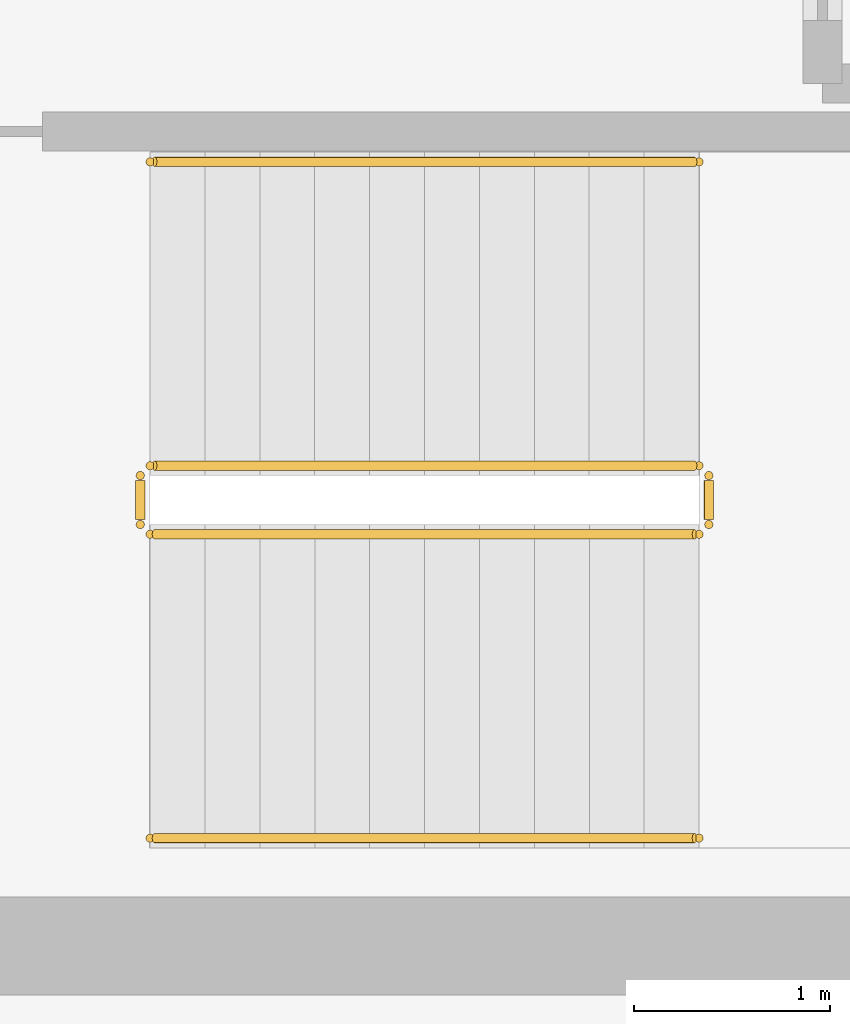
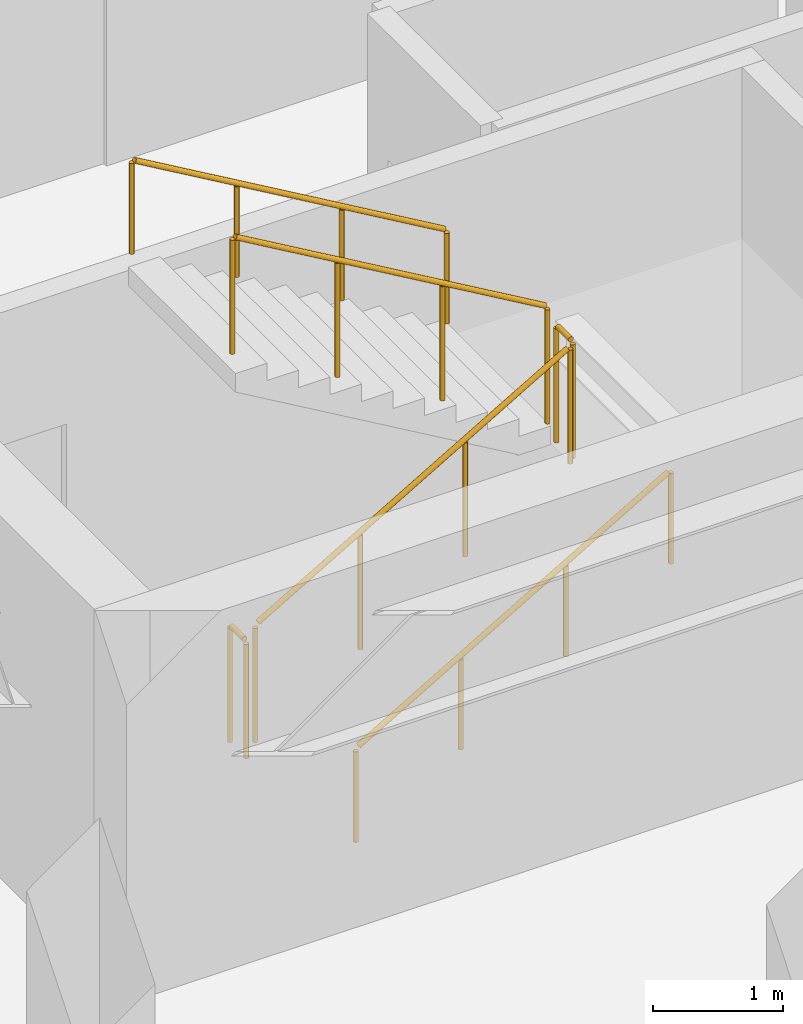
# One storey, part 12 of 12: 6 railings.
"""IFC4 building model written with IfcOpenShell, lengths in metres."""

from ifc_helpers import new_model, si_unit, direction, frame, origin, origin_2d, place, context, subcontext, project, spatial, circle, extrude, source, transform, mapped, material, layer, layer_set, type_object, element, save


model = new_model("IFC4")

# Units and contexts
model_context = context("Model", 3, precision=1e-05, world=origin(), true_north=direction((0.0, 1.0)))
body_context = subcontext(model_context, "Body", "Model", "MODEL_VIEW")
ifc_project = project(units=[si_unit("LENGTHUNIT", "METRE"), si_unit("AREAUNIT", "SQUARE_METRE"), si_unit("VOLUMEUNIT", "CUBIC_METRE"), si_unit("PLANEANGLEUNIT", "RADIAN"), si_unit("MASSUNIT", "GRAM", prefix="KILO")], contexts=[model_context])

# Site, building, storey
site_placement = place(None, origin())
site = spatial("IfcSite", under=ifc_project, at=site_placement, CompositionType="ELEMENT")
building_placement = place(site_placement, origin())
building = spatial("IfcBuilding", under=site, at=building_placement, Name="Kharzan Plaza Tower", CompositionType="ELEMENT")
storey_placement = place(building_placement, frame((0.0, 0.0, 255.60009765625)))
storey = spatial("IfcBuildingStorey", under=building, at=storey_placement, Name="L69", CompositionType="ELEMENT", Elevation=255.60009765625)

# Railings
ifc_material_1 = material(Name="Painted Galvanized Architectural Steel", Category="steel")
ifc_layer_1 = layer(ifc_material_1, 0.074951171875)
ifc_layer_set_1 = layer_set([ifc_layer_1], Name="Painted Galvanized Architectural Steel")
railing_type_1 = type_object("IfcRailingType", Name="RL-GUARD-1120", PredefinedType="BALUSTRADE", material=ifc_layer_set_1)
shared_shape_1 = source(origin(), body_context, "Body", "SweptSolid", [
    extrude(circle(Radius=0.02392578125, at=origin_2d()), frame((0.0, 0.0263671875, 1.09619140625), z_axis=(0.0, 1.0, 0.0), x_axis=(-1.0, 0.0, 0.0)), (0.0, 0.0, 1.0), 0.197021484375),
    extrude(circle(Radius=0.02099609375, at=origin_2d()), origin(), (0.0, 0.0, 1.0), 1.072021484375),
    extrude(circle(Radius=0.02099609375, at=origin_2d()), frame((0.0, 0.25, 0.0)), (0.0, 0.0, 1.0), 1.072021484375),
])
for number, where, name in (
    (1, (41.10009765625, 6.64990234375, 1.7998046875), "L69 ST-3 stair guard 2"),
    (2, (38.199951171875, 6.64990234375, 0.0), "L69 ST-3 stair guard 4"),
):
    element("IfcRailing", number, at=place(storey_placement, frame(where)), inside=storey, type_object=railing_type_1, Name=name, PredefinedType="BALUSTRADE", context=body_context, shape_type="MappedRepresentation", body=[
        mapped(shared_shape_1, transform((0.0, 0.0, 0.0), x_axis=(1.0, 0.0, 0.0), y_axis=(0.0, 1.0, 0.0), z_axis=(0.0, 0.0, 1.0))),
    ])
shared_shape_2 = source(origin(), body_context, "Body", "SweptSolid", [
    extrude(circle(Radius=0.02392578125, at=origin_2d()), frame((0.02294921875, 0.0, 1.109375), z_axis=(0.863393664356, 0.0, 0.504530851732), x_axis=(0.0, 1.0, 0.0)), (0.0, 0.0, 1.0), 3.190185546875),
    extrude(circle(Radius=0.02099609375, at=origin_2d()), origin(), (0.0, 0.0, 1.0), 1.072021484375),
    extrude(circle(Radius=0.02099609375, at=origin_2d()), frame((0.933349609375, 0.0, 0.54541015625)), (0.0, 0.0, 1.0), 1.072021484375),
    extrude(circle(Radius=0.02099609375, at=origin_2d()), frame((1.86669921875, 0.0, 1.0908203125)), (0.0, 0.0, 1.0), 1.072021484375),
    extrude(circle(Radius=0.02099609375, at=origin_2d()), frame((2.800048828125, 0.0, 1.63623046875)), (0.0, 0.0, 1.0), 1.072021484375),
])
railing_1_placement = place(storey_placement, frame((38.25, 6.60009765625, 0.16357421875)))
element("IfcRailing", 3, at=railing_1_placement, inside=storey, type_object=railing_type_1, Name="L69 ST-3 stair guard 1", PredefinedType="BALUSTRADE", context=body_context, shape_type="MappedRepresentation", body=[
    mapped(shared_shape_2, transform((0.0, 0.0, 0.0), x_axis=(1.0, 0.0, 0.0), y_axis=(0.0, 1.0, 0.0), z_axis=(0.0, 0.0, 1.0))),
])
shared_shape_3 = source(origin(), body_context, "Body", "SweptSolid", [
    extrude(circle(Radius=0.02392578125, at=origin_2d()), frame((-0.02294921875, 0.0, 1.109375), z_axis=(-0.863393664356, 0.0, 0.504530851732), x_axis=(0.0, -1.0, 0.0)), (0.0, 0.0, 1.0), 3.190185546875),
    extrude(circle(Radius=0.02099609375, at=origin_2d()), origin(), (0.0, 0.0, 1.0), 1.072021484375),
    extrude(circle(Radius=0.02099609375, at=origin_2d()), frame((-0.933349609375, 0.0, 0.54541015625)), (0.0, 0.0, 1.0), 1.072021484375),
    extrude(circle(Radius=0.02099609375, at=origin_2d()), frame((-1.86669921875, 0.0, 1.0908203125)), (0.0, 0.0, 1.0), 1.072021484375),
    extrude(circle(Radius=0.02099609375, at=origin_2d()), frame((-2.800048828125, 0.0, 1.63623046875)), (0.0, 0.0, 1.0), 1.072021484375),
])
railing_2_placement = place(storey_placement, frame((41.050048828125, 6.949951171875, 1.963623046875)))
element("IfcRailing", 4, at=railing_2_placement, inside=storey, type_object=railing_type_1, Name="L69 ST-3 stair guard 3", PredefinedType="BALUSTRADE", context=body_context, shape_type="MappedRepresentation", body=[
    mapped(shared_shape_3, transform((0.0, 0.0, 0.0), x_axis=(1.0, 0.0, 0.0), y_axis=(0.0, 1.0, 0.0), z_axis=(0.0, 0.0, 1.0))),
])
ifc_material_2 = material(Name="Brushed Stainless Steel", Category="steel")
ifc_layer_2 = layer(ifc_material_2, 0.050048828125)
ifc_layer_set_2 = layer_set([ifc_layer_2], Name="Brushed Stainless Steel")
railing_type_2 = type_object("IfcRailingType", Name="RL-STAIR-HR920", PredefinedType="HANDRAIL", material=ifc_layer_set_2)
shared_shape_4 = source(origin(), body_context, "Body", "SweptSolid", [
    extrude(circle(Radius=0.02392578125, at=origin_2d()), frame((0.02294921875, 0.0, 0.88916015625), z_axis=(0.863393664356, 0.0, 0.504530851732), x_axis=(0.0, 1.0, 0.0)), (0.0, 0.0, 1.0), 3.190185546875),
    extrude(circle(Radius=0.02099609375, at=origin_2d()), origin(), (0.0, 0.0, 1.0), 0.851806640625),
    extrude(circle(Radius=0.02099609375, at=origin_2d()), frame((0.933349609375, 0.0, 0.54541015625)), (0.0, 0.0, 1.0), 0.851806640625),
    extrude(circle(Radius=0.02099609375, at=origin_2d()), frame((1.86669921875, 0.0, 1.0908203125)), (0.0, 0.0, 1.0), 0.851806640625),
    extrude(circle(Radius=0.02099609375, at=origin_2d()), frame((2.800048828125, 0.0, 1.63623046875)), (0.0, 0.0, 1.0), 0.851806640625),
])
railing_3_placement = place(storey_placement, frame((38.25, 5.050048828125, 0.16357421875)))
element("IfcRailing", 5, at=railing_3_placement, inside=storey, type_object=railing_type_2, Name="L69 ST-3 stair handrail 1", PredefinedType="HANDRAIL", context=body_context, shape_type="MappedRepresentation", body=[
    mapped(shared_shape_4, transform((0.0, 0.0, 0.0), x_axis=(1.0, 0.0, 0.0), y_axis=(0.0, 1.0, 0.0), z_axis=(0.0, 0.0, 1.0))),
])
shared_shape_5 = source(origin(), body_context, "Body", "SweptSolid", [
    extrude(circle(Radius=0.02392578125, at=origin_2d()), frame((-0.02294921875, 0.0, 0.88916015625), z_axis=(-0.863393664356, 0.0, 0.504530851732), x_axis=(0.0, -1.0, 0.0)), (0.0, 0.0, 1.0), 3.190185546875),
    extrude(circle(Radius=0.02099609375, at=origin_2d()), origin(), (0.0, 0.0, 1.0), 0.851806640625),
    extrude(circle(Radius=0.02099609375, at=origin_2d()), frame((-0.933349609375, 0.0, 0.54541015625)), (0.0, 0.0, 1.0), 0.851806640625),
    extrude(circle(Radius=0.02099609375, at=origin_2d()), frame((-1.86669921875, 0.0, 1.0908203125)), (0.0, 0.0, 1.0), 0.851806640625),
    extrude(circle(Radius=0.02099609375, at=origin_2d()), frame((-2.800048828125, 0.0, 1.63623046875)), (0.0, 0.0, 1.0), 0.851806640625),
])
railing_4_placement = place(storey_placement, frame((41.050048828125, 8.5, 1.963623046875)))
element("IfcRailing", 6, at=railing_4_placement, inside=storey, type_object=railing_type_2, Name="L69 ST-3 stair handrail 2", PredefinedType="HANDRAIL", context=body_context, shape_type="MappedRepresentation", body=[
    mapped(shared_shape_5, transform((0.0, 0.0, 0.0), x_axis=(1.0, 0.0, 0.0), y_axis=(0.0, 1.0, 0.0), z_axis=(0.0, 0.0, 1.0))),
])

save(model, "model.ifc")
